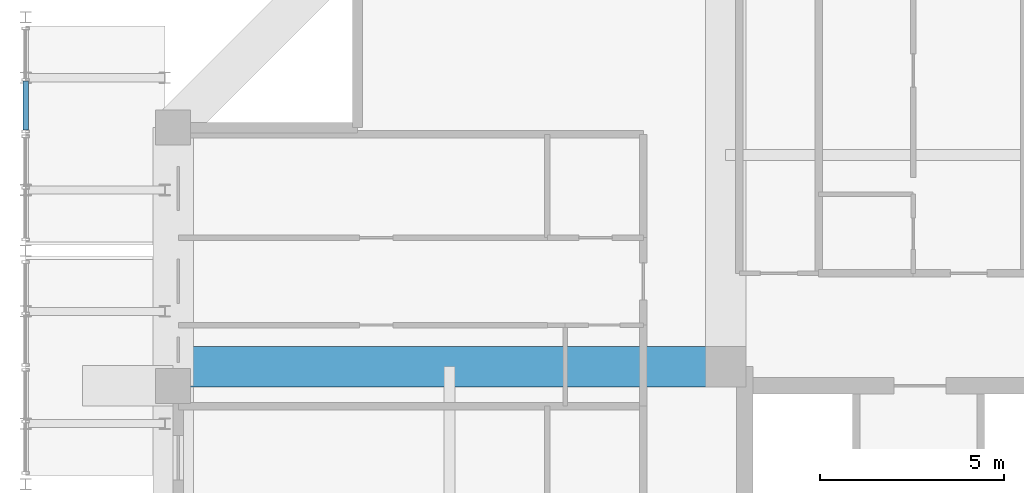
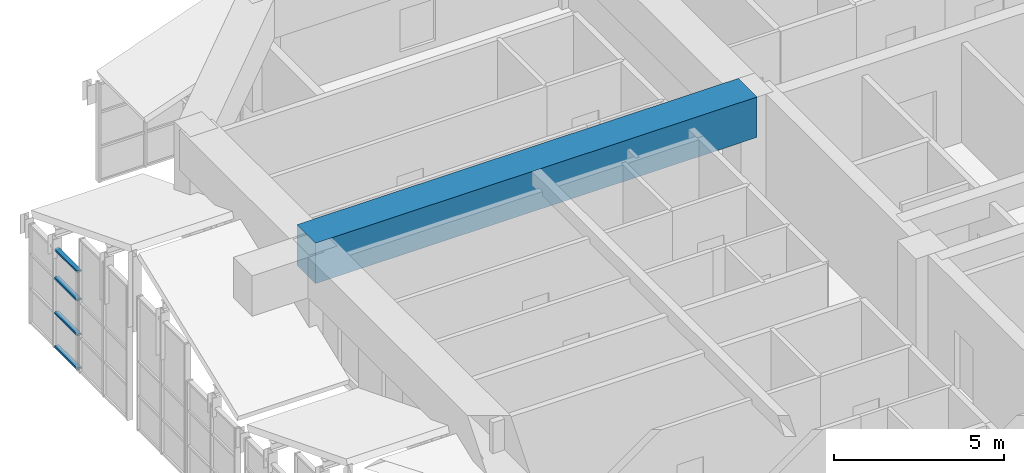
# One storey, part 20 of 45: 4 members, 1 beam, 1 element without a shape of its own.
"""IFC4 building model written with IfcOpenShell, lengths in metres."""

from ifc_helpers import new_model, si_unit, direction, frame, origin, origin_2d, place, context, subcontext, project, spatial, rectangle, hollow_rectangle, extrude, source, transform, mapped, material, layer, layer_set, material_profile, profile_set, type_object, element, aggregate, save


model = new_model("IFC4")

# Units and contexts
model_context = context("Model", 3, precision=1e-05, world=origin(), true_north=direction((0.0, 1.0)))
body_context = subcontext(model_context, "Body", "Model", "MODEL_VIEW")
ifc_project = project(units=[si_unit("LENGTHUNIT", "METRE"), si_unit("AREAUNIT", "SQUARE_METRE"), si_unit("VOLUMEUNIT", "CUBIC_METRE"), si_unit("PLANEANGLEUNIT", "RADIAN"), si_unit("MASSUNIT", "GRAM", prefix="KILO")], contexts=[model_context])

# Site, building, storey
site_placement = place(None, origin())
site = spatial("IfcSite", under=ifc_project, at=site_placement, CompositionType="ELEMENT")
building_placement = place(site_placement, origin())
building = spatial("IfcBuilding", under=site, at=building_placement, Name="Saelheon Loggia Tower", CompositionType="ELEMENT")
storey_placement = place(building_placement, frame((0.0, 0.0, 152.199951171875)))
storey = spatial("IfcBuildingStorey", under=building, at=storey_placement, Name="L48", CompositionType="ELEMENT", Elevation=152.199951171875)

# Beam
ifc_material_1 = material(Name="Concrete C50/60", Category="concrete")
ifc_material_profile_1 = material_profile(ifc_material_1, rectangle(XDim=1.10009765625, YDim=1.449951171875, at=origin_2d()), Name="RC-1100x1450")
ifc_profile_set_1 = profile_set([ifc_material_profile_1], Name="Concrete C50/60")
beam_type = type_object("IfcBeamType", Name="Beam_Transfer_RC1100x1450", PredefinedType="BEAM", material=ifc_profile_set_1)
shared_shape_1 = source(origin(), body_context, "Body", "SweptSolid", [
    extrude(rectangle(XDim=1.10009765625, YDim=1.449951171875, at=origin_2d()), origin(), (0.0, 0.0, 1.0), 14.97998046875),
])
beam_placement = place(storey_placement, frame((30.97998046875, 36.52001953125, 3.175048828125), z_axis=(-1.0, 0.0, 0.0), x_axis=(0.0, -1.0, 0.0)))
element("IfcBeam", 1, at=beam_placement, inside=storey, type_object=beam_type, Name="L48 Radial Floor Girder RAD-NW-W", PredefinedType="BEAM", context=body_context, shape_type="MappedRepresentation", body=[
    mapped(shared_shape_1, transform((0.0, 0.0, 0.0), scale=1.0)),
])

# Curtain wall, members
ifc_material_2 = material(Name="Bronze-Anodised Aluminium and Fritted Ceramic Screen", Category="aluminium")
ifc_layer = layer(ifc_material_2, 0.219970703125)
ifc_layer_set = layer_set([ifc_layer], Name="Bronze-Anodised Aluminium and Fritted Ceramic Screen")
curtain_wall_type = type_object("IfcCurtainWallType", Name="CW_CrownScreen", PredefinedType="NOTDEFINED", material=ifc_layer_set)
curtain_wall_placement = place(storey_placement, origin())
curtain_wall = element("IfcCurtainWall", 2, at=curtain_wall_placement, inside=storey, type_object=curtain_wall_type, Name="Tier 1 Wave Crest Glazing W 06-2", PredefinedType="NOTDEFINED")
ifc_material_3 = material(Name="Bronze-Anodised Aluminium 6063-T6", Category="aluminium")
ifc_material_profile_2 = material_profile(ifc_material_3, hollow_rectangle(XDim=0.070068359375, YDim=0.14990234375, WallThickness=0.0048828125, at=origin_2d()), Name="RHS-150x70x5")
ifc_profile_set_2 = profile_set([ifc_material_profile_2], Name="Bronze-Anodised Aluminium 6063-T6")
member_type = type_object("IfcMemberType", Name="CW_CrownScreen_Transom", PredefinedType="USERDEFINED", material=ifc_profile_set_2)
shared_shape_2 = source(origin(), body_context, "Body", "SweptSolid", [
    extrude(hollow_rectangle(XDim=0.070068359375, YDim=0.14990234375, WallThickness=0.0048828125, at=origin_2d()), origin(), (0.0, 0.0, 1.0), 1.328369140625),
])
member_1_placement = place(storey_placement, frame((12.0, 42.933349609375, -3.4150390625), z_axis=(0.0, 1.0, 0.0), x_axis=(0.0, 0.0, 1.0)))
member_1 = element("IfcMember", 3, at=member_1_placement, type_object=member_type, Name="CW6 transom 1.1", ObjectType="TRANSOM", PredefinedType="USERDEFINED", context=body_context, shape_type="MappedRepresentation", body=[
    mapped(shared_shape_2, transform((0.0, 0.0, 0.0), scale=1.0)),
])
member_2_placement = place(storey_placement, frame((12.0, 42.933349609375, -2.199951171875), z_axis=(0.0, 1.0, 0.0), x_axis=(0.0, 0.0, 1.0)))
member_2 = element("IfcMember", 4, at=member_2_placement, type_object=member_type, Name="CW6 transom 1.2", ObjectType="TRANSOM", PredefinedType="USERDEFINED", context=body_context, shape_type="MappedRepresentation", body=[
    mapped(shared_shape_2, transform((0.0, 0.0, 0.0), scale=1.0)),
])
member_3_placement = place(storey_placement, frame((12.0, 42.933349609375, -0.949951171875), z_axis=(0.0, 1.0, 0.0), x_axis=(0.0, 0.0, 1.0)))
member_3 = element("IfcMember", 5, at=member_3_placement, type_object=member_type, Name="CW6 transom 1.3", ObjectType="TRANSOM", PredefinedType="USERDEFINED", context=body_context, shape_type="MappedRepresentation", body=[
    mapped(shared_shape_2, transform((0.0, 0.0, 0.0), scale=1.0)),
])
member_4_placement = place(storey_placement, frame((12.0, 42.933349609375, 0.074951171875), z_axis=(0.0, 1.0, 0.0), x_axis=(0.0, 0.0, 1.0)))
member_4 = element("IfcMember", 6, at=member_4_placement, type_object=member_type, Name="CW6 transom 1.4", ObjectType="TRANSOM", PredefinedType="USERDEFINED", context=body_context, shape_type="MappedRepresentation", body=[
    mapped(shared_shape_2, transform((0.0, 0.0, 0.0), scale=1.0)),
])
aggregate(curtain_wall, [member_1, member_2, member_3, member_4])

save(model, "model.ifc")
